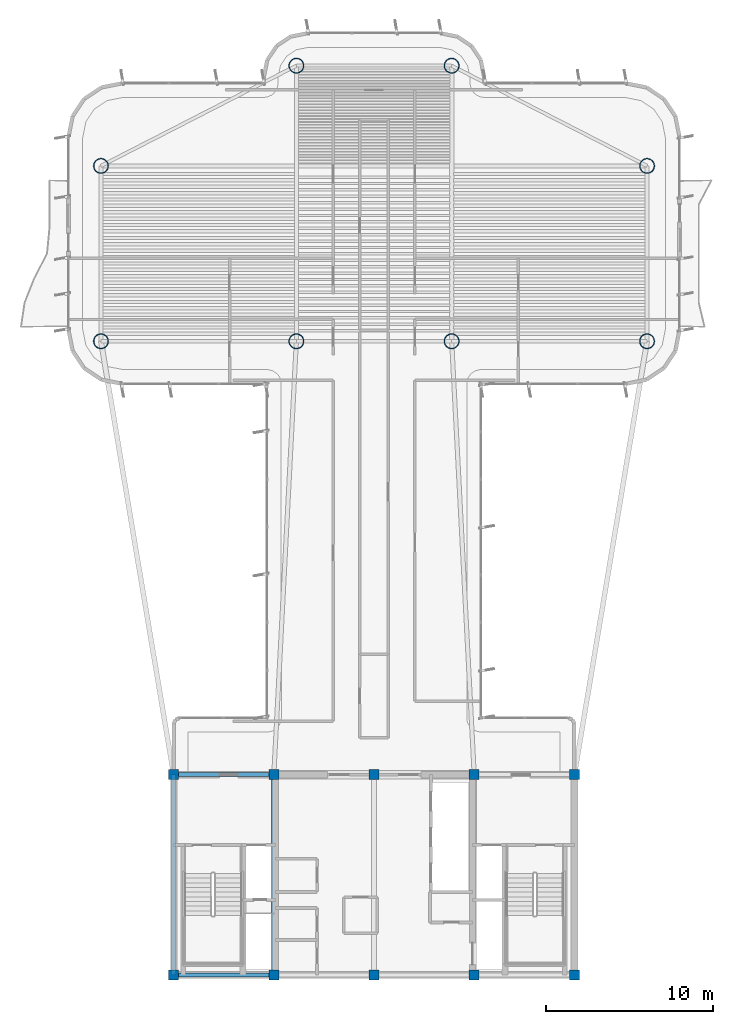
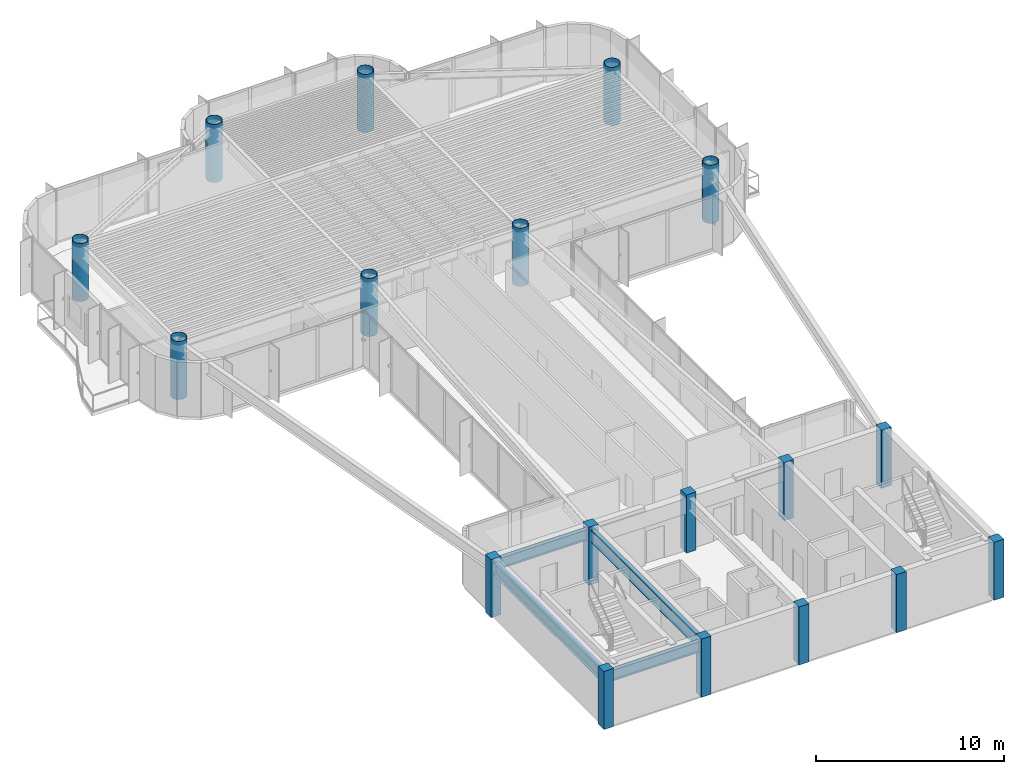
# One storey, part 1 of 15: 18 columns, 4 beams.
"""IFC4 building model written with IfcOpenShell, lengths in metres."""

from ifc_helpers import new_model, si_unit, direction, frame, origin, origin_2d, place, context, subcontext, project, spatial, rectangle, hollow_circle, i_section, extrude, source, transform, mapped, material, material_profile, profile_set, type_object, element, save


model = new_model("IFC4")

# Units and contexts
model_context = context("Model", 3, precision=1e-05, world=origin(), true_north=direction((0.0, 1.0)))
body_context = subcontext(model_context, "Body", "Model", "MODEL_VIEW")
ifc_project = project(units=[si_unit("LENGTHUNIT", "METRE"), si_unit("AREAUNIT", "SQUARE_METRE"), si_unit("VOLUMEUNIT", "CUBIC_METRE"), si_unit("PLANEANGLEUNIT", "RADIAN"), si_unit("MASSUNIT", "GRAM", prefix="KILO")], contexts=[model_context])

# Site, building, storey
site_placement = place(None, origin())
site = spatial("IfcSite", under=ifc_project, at=site_placement, CompositionType="ELEMENT")
building_placement = place(site_placement, origin())
building = spatial("IfcBuilding", under=site, at=building_placement, Name="Brelvock Crest Care Tower", CompositionType="ELEMENT")
storey_placement = place(building_placement, frame((0.0, 0.0, 245.699951171875)))
storey = spatial("IfcBuildingStorey", under=building, at=storey_placement, Name="L62", CompositionType="ELEMENT", Elevation=245.699951171875)

# Columns
ifc_material_1 = material(Name="Concrete S65 (65 MPa)", Category="concrete")
ifc_material_profile_1 = material_profile(ifc_material_1, rectangle(XDim=0.60009765625, YDim=0.60009765625, at=origin_2d()), Name="RC600x600")
ifc_profile_set_1 = profile_set([ifc_material_profile_1], Name="Concrete S65 (65 MPa)")
column_type_1 = type_object("IfcColumnType", Name="COL-RC4", PredefinedType="COLUMN", material=ifc_profile_set_1)
shared_shape_1 = source(origin(), body_context, "Body", "SweptSolid", [
    extrude(rectangle(XDim=0.60009765625, YDim=0.60009765625, at=origin_2d()), origin(), (0.0, 0.0, 1.0), 3.780029296875),
])
for number, where, z_axis, x_axis, name in (
    (1, (24.0, 6.0, 0.0), (0.0, 0.0, 1.0), (1.0, 0.0, 0.0), "L62 Core Column CC-01"),
    (2, (30.0, 6.0, 0.0), (0.0, 0.0, 1.0), (1.0, 0.0, 0.0), "L62 Core Column CC-02"),
    (3, (36.0, 6.0, 0.0), (0.0, 0.0, 1.0), (1.0, 0.0, 0.0), "L62 Core Column CC-03"),
    (4, (42.0, 6.0, 0.0), (0.0, 0.0, 1.0), (1.0, 0.0, 0.0), "L62 Core Column CC-04"),
    (5, (48.0, 6.0, 0.0), (0.0, 0.0, 1.0), (1.0, 0.0, 0.0), "L62 Core Column CC-05"),
    (6, (24.0, 18.0, 0.0), (0.0, 0.0, 1.0), (1.0, 0.0, 0.0), "L62 Core Column CC-06"),
    (7, (30.0, 18.0, 0.0), (0.0, 0.0, 1.0), (1.0, 0.0, 0.0), "L62 Core Column CC-07"),
    (8, (36.0, 18.0, 0.0), (0.0, 0.0, 1.0), (1.0, 0.0, 0.0), "L62 Core Column CC-08"),
    (9, (42.0, 18.0, 0.0), (0.0, 0.0, 1.0), (1.0, 0.0, 0.0), "L62 Core Column CC-09"),
    (10, (48.0, 18.0, 0.0), (0.0, 0.0, 1.0), (1.0, 0.0, 0.0), "L62 Core Column CC-10"),
):
    element("IfcColumn", number, at=place(storey_placement, frame(where, z_axis=z_axis, x_axis=x_axis)), inside=storey, type_object=column_type_1, Name=name, PredefinedType="COLUMN", context=body_context, shape_type="MappedRepresentation", body=[
        mapped(shared_shape_1, transform((0.0, 0.0, 0.0), x_axis=(1.0, 0.0, 0.0), y_axis=(0.0, 1.0, 0.0), z_axis=(0.0, 0.0, 1.0), scale=1.0)),
    ])
ifc_material_2 = material(Name="Steel Grade 350", Category="steel")
ifc_material_profile_2 = material_profile(ifc_material_2, hollow_circle(Radius=0.449951171875, WallThickness=0.031982421875, at=origin_2d()), Name="CFT900x32")
ifc_profile_set_2 = profile_set([ifc_material_profile_2], Name="Steel Grade 350")
column_type_2 = type_object("IfcColumnType", Name="COL-MC4", PredefinedType="COLUMN", material=ifc_profile_set_2)
shared_shape_2 = source(origin(), body_context, "Body", "SweptSolid", [
    extrude(hollow_circle(Radius=0.449951171875, WallThickness=0.031982421875, at=origin_2d()), origin(), (0.0, 0.0, 1.0), 3.780029296875),
])
for number, where, z_axis, x_axis, name in (
    (11, (19.64990234375, 43.949951171875, 0.0), (0.0, 0.0, 1.0), (1.0, 0.0, 0.0), "L62 Tower Column M1"),
    (12, (19.64990234375, 54.449951171875, 0.0), (0.0, 0.0, 1.0), (1.0, 0.0, 0.0), "L62 Tower Column M2"),
    (13, (52.35009765625, 43.949951171875, 0.0), (0.0, 0.0, 1.0), (1.0, 0.0, 0.0), "L62 Tower Column M3"),
    (14, (52.35009765625, 54.449951171875, 0.0), (0.0, 0.0, 1.0), (1.0, 0.0, 0.0), "L62 Tower Column M4"),
    (15, (31.35009765625, 43.949951171875, 0.0), (0.0, 0.0, 1.0), (1.0, 0.0, 0.0), "L62 Tower Column M5"),
    (16, (40.64990234375, 43.949951171875, 0.0), (0.0, 0.0, 1.0), (1.0, 0.0, 0.0), "L62 Tower Column M6"),
    (17, (31.35009765625, 60.449951171875, 0.0), (0.0, 0.0, 1.0), (1.0, 0.0, 0.0), "L62 Tower Column M7"),
    (18, (40.64990234375, 60.449951171875, 0.0), (0.0, 0.0, 1.0), (1.0, 0.0, 0.0), "L62 Tower Column M8"),
):
    element("IfcColumn", number, at=place(storey_placement, frame(where, z_axis=z_axis, x_axis=x_axis)), inside=storey, type_object=column_type_2, Name=name, PredefinedType="COLUMN", context=body_context, shape_type="MappedRepresentation", body=[
        mapped(shared_shape_2, transform((0.0, 0.0, 0.0), x_axis=(1.0, 0.0, 0.0), y_axis=(0.0, 1.0, 0.0), z_axis=(0.0, 0.0, 1.0), scale=1.0)),
    ])

# Beams
ifc_material_profile_3 = material_profile(ifc_material_2, i_section(OverallWidth=0.25, OverallDepth=0.699951171875, WebThickness=0.011962890625, FlangeThickness=0.02001953125, at=origin_2d()), Name="700WB150")
ifc_profile_set_3 = profile_set([ifc_material_profile_3], Name="Steel Grade 350")
beam_type_1 = type_object("IfcBeamType", Name="BM-G4", PredefinedType="BEAM", material=ifc_profile_set_3)
shared_shape_3 = source(origin(), body_context, "Body", "SweptSolid", [
    extrude(i_section(OverallWidth=0.25, OverallDepth=0.699951171875, WebThickness=0.011962890625, FlangeThickness=0.02001953125, at=origin_2d()), origin(), (0.0, 0.0, 1.0), 6.0),
])
for number, where, z_axis, x_axis, name in (
    (19, (24.0, 6.0, 3.179931640625), (1.0, 0.0, 0.0), (0.0, 1.0, 0.0), "BM-CORES-L62-1"),
    (20, (24.0, 18.0, 3.179931640625), (1.0, 0.0, 0.0), (0.0, 1.0, 0.0), "BM-COREN-L62-1"),
):
    element("IfcBeam", number, at=place(storey_placement, frame(where, z_axis=z_axis, x_axis=x_axis)), inside=storey, type_object=beam_type_1, Name=name, PredefinedType="BEAM", context=body_context, shape_type="MappedRepresentation", body=[
        mapped(shared_shape_3, transform((0.0, 0.0, 0.0), x_axis=(1.0, 0.0, 0.0), y_axis=(0.0, 1.0, 0.0), z_axis=(0.0, 0.0, 1.0), scale=1.0)),
    ])
ifc_material_profile_4 = material_profile(ifc_material_2, i_section(OverallWidth=0.300048828125, OverallDepth=0.800048828125, WebThickness=0.013916015625, FlangeThickness=0.02197265625, at=origin_2d()), Name="800WB192")
ifc_profile_set_4 = profile_set([ifc_material_profile_4], Name="Steel Grade 350")
beam_type_2 = type_object("IfcBeamType", Name="BM-G5", PredefinedType="BEAM", material=ifc_profile_set_4)
shared_shape_4 = source(origin(), body_context, "Body", "SweptSolid", [
    extrude(i_section(OverallWidth=0.300048828125, OverallDepth=0.800048828125, WebThickness=0.013916015625, FlangeThickness=0.02197265625, at=origin_2d()), origin(), (0.0, 0.0, 1.0), 12.0),
])
for number, where, z_axis, x_axis, name in (
    (21, (24.0, 6.0, 3.130126953125), (0.0, 1.0, 0.0), (-1.0, 0.0, 0.0), "BM-COREX-L62-1"),
    (22, (30.0, 6.0, 3.130126953125), (0.0, 1.0, 0.0), (-1.0, 0.0, 0.0), "BM-COREX-L62-2"),
):
    element("IfcBeam", number, at=place(storey_placement, frame(where, z_axis=z_axis, x_axis=x_axis)), inside=storey, type_object=beam_type_2, Name=name, PredefinedType="BEAM", context=body_context, shape_type="MappedRepresentation", body=[
        mapped(shared_shape_4, transform((0.0, 0.0, 0.0), x_axis=(1.0, 0.0, 0.0), y_axis=(0.0, 1.0, 0.0), z_axis=(0.0, 0.0, 1.0), scale=1.0)),
    ])

save(model, "model.ifc")
